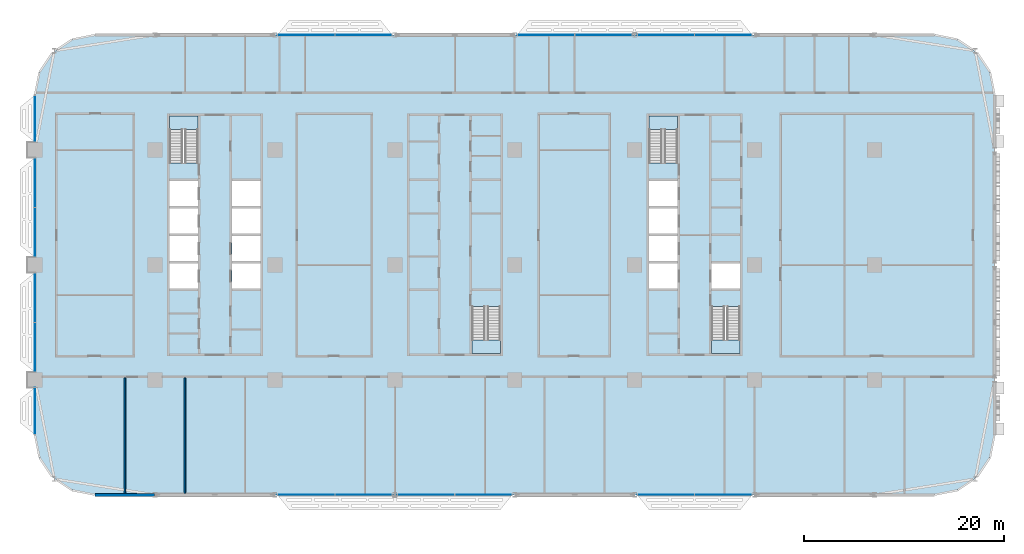
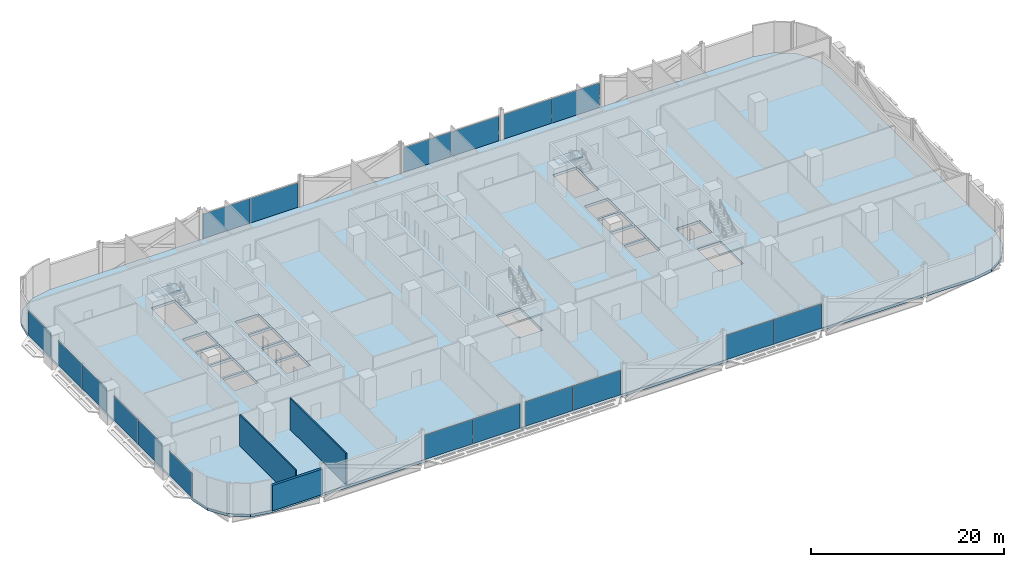
# One storey, part 11 of 29: 18 plates, 5 slabs, 3 walls, 14 elements without a shape of their own.
"""IFC4 building model written with IfcOpenShell, lengths in metres."""

import ifcopenshell
import ifcopenshell.guid

model = None  # the IFC model being written
_history = None  # IfcOwnerHistory: only IFC2X3 demands one
_inside = {}  # id of a spatial element -> (the spatial element, [elements in it])
_under = {}  # id of a project, library or spatial element -> (it, [spatial elements below it])
_declared = {}  # id of a project -> (the project, [libraries it declares])
_typed = {}  # id of a type object -> (the type object, [elements of that type])
_made_of = {}  # id of a material, layer set ... -> (it, [elements and type objects made of it])


def new_model(schema):
    """Start an empty IFC model of exactly this schema.

    Asked for "IFC4X3", IfcOpenShell would pick the latest addendum, in which some entities
    have other attributes; the version numbers below select the first issue.
    IFC2X3 requires an IfcOwnerHistory on every rooted entity: one is made here for all.
    """
    global model, _history
    if schema == "IFC4X3":
        model = ifcopenshell.file(schema_version=(4, 3, 0, 0))
    else:
        model = ifcopenshell.file(schema=schema)
    _inside.clear()
    _under.clear()
    _declared.clear()
    _typed.clear()
    _made_of.clear()
    _history = None
    if model.schema == "IFC2X3":
        org = make("IfcOrganization", Name="unknown")
        user = make(
            "IfcPersonAndOrganization",
            ThePerson=make("IfcPerson", FamilyName="unknown"),
            TheOrganization=org,
        )
        app = make(
            "IfcApplication",
            ApplicationDeveloper=org,
            Version="unknown",
            ApplicationFullName="unknown",
            ApplicationIdentifier="unknown",
        )
        _history = make(
            "IfcOwnerHistory",
            OwningUser=user,
            OwningApplication=app,
            ChangeAction="ADDED",
            CreationDate=0,
        )
    return model


def make(cls, **values):
    """One entity of the class cls with the attributes given. An attribute that is None is left unset."""
    return model.create_entity(
        cls, **{name: value for name, value in values.items() if value is not None}
    )


def rooted(cls, **values):
    """An entity with a GlobalId (a new one), such as an element, a storey or a relation."""
    return make(cls, GlobalId=ifcopenshell.guid.new(), OwnerHistory=_history, **values)


def si_unit(unit_type, name, prefix=None):
    """IfcSIUnit, for example si_unit("LENGTHUNIT", "METRE", prefix="MILLI")."""
    return make("IfcSIUnit", UnitType=unit_type, Prefix=prefix, Name=name)


def assignment(units):
    """IfcUnitAssignment: the units of a project."""
    return None if units is None else make("IfcUnitAssignment", Units=units)


def point(xyz):
    """IfcCartesianPoint."""
    return None if xyz is None else make("IfcCartesianPoint", Coordinates=xyz)


def direction(xyz):
    """IfcDirection."""
    return None if xyz is None else make("IfcDirection", DirectionRatios=xyz)


def frame(location, z_axis=None, x_axis=None):
    """IfcAxis2Placement3D, a coordinate frame: its origin and axes. An axis left out is left unset."""
    return make(
        "IfcAxis2Placement3D",
        Location=point(location),
        Axis=direction(z_axis),
        RefDirection=direction(x_axis),
    )


def frame_2d(location, x_axis=None):
    """IfcAxis2Placement2D, a coordinate frame in the plane: its origin and x axis."""
    return make(
        "IfcAxis2Placement2D", Location=point(location), RefDirection=direction(x_axis)
    )


def origin():
    """The frame at (0, 0, 0) with its axes left unset."""
    return frame((0.0, 0.0, 0.0))


def origin_2d():
    """The frame at (0, 0) in the plane with its x axis left unset."""
    return frame_2d((0.0, 0.0))


def place(relative_to, where):
    """IfcLocalPlacement: puts the frame where relative to a parent placement (None: the world)."""
    return make(
        "IfcLocalPlacement", PlacementRelTo=relative_to, RelativePlacement=where
    )


def context(
    kind, dimensions, precision=None, world=None, true_north=None, identifier=None
):
    """IfcGeometricRepresentationContext, for example the 3D "Model" context."""
    return make(
        "IfcGeometricRepresentationContext",
        ContextIdentifier=identifier,
        ContextType=kind,
        CoordinateSpaceDimension=dimensions,
        Precision=precision,
        WorldCoordinateSystem=world,
        TrueNorth=true_north,
    )


def subcontext(parent, identifier, kind, view, scale=None):
    """IfcGeometricRepresentationSubContext, for example "Body" below "Model"."""
    return make(
        "IfcGeometricRepresentationSubContext",
        ContextIdentifier=identifier,
        ContextType=kind,
        ParentContext=parent,
        TargetScale=scale,
        TargetView=view,
    )


def project(units=None, contexts=None):
    """IfcProject with its units and contexts."""
    return rooted(
        "IfcProject",
        Name="project",
        RepresentationContexts=contexts,
        UnitsInContext=assignment(units),
    )


def spatial(cls, under=None, at=None, **own):
    """A site, building, storey or space (cls), placed at a placement, below another one or the project."""
    s = rooted(cls, ObjectPlacement=at, **own)
    if under is not None:
        _under.setdefault(under.id(), (under, []))[1].append(s)
    return s


def polyline(points):
    """IfcPolyline through the points."""
    return make("IfcPolyline", Points=[point(p) for p in points])


def profile(cls, at=None, kind="AREA", **sizes):
    """A parametric profile (cls). Its sizes go by their IFC names, for example OverallWidth=200.0."""
    return make(cls, ProfileType=kind, Position=at, **sizes)


def rectangle(**sizes):
    """IfcRectangleProfileDef."""
    return profile("IfcRectangleProfileDef", **sizes)


def outline(outer, holes=None, kind="AREA"):
    """IfcArbitraryClosedProfileDef: a profile drawn as a closed curve; with holes, ...WithVoids."""
    if holes is None:
        return make("IfcArbitraryClosedProfileDef", ProfileType=kind, OuterCurve=outer)
    return make(
        "IfcArbitraryProfileDefWithVoids",
        ProfileType=kind,
        OuterCurve=outer,
        InnerCurves=holes,
    )


def extrude(swept, where, along, depth):
    """IfcExtrudedAreaSolid: the profile swept, set in the frame where, extruded along a direction by depth."""
    return make(
        "IfcExtrudedAreaSolid",
        SweptArea=swept,
        Position=where,
        ExtrudedDirection=direction(along),
        Depth=depth,
    )


def shape(context_of_items, identifier, shape_type, items):
    """IfcShapeRepresentation: the items that make up one representation, for example the "Body"."""
    return make(
        "IfcShapeRepresentation",
        ContextOfItems=context_of_items,
        RepresentationIdentifier=identifier,
        RepresentationType=shape_type,
        Items=items,
    )


def material(Name=None, Category=None):
    """IfcMaterial."""
    return make("IfcMaterial", Name=Name, Category=Category)


def layer(
    of_material, thickness, ventilated=None, Name=None, Category=None, Priority=None
):
    """IfcMaterialLayer: one layer of a wall or slab, of a material (None: an air gap)."""
    return make(
        "IfcMaterialLayer",
        Material=of_material,
        LayerThickness=thickness,
        IsVentilated=ventilated,
        Name=Name,
        Category=Category,
        Priority=Priority,
    )


def layer_set(layers, Name=None):
    """IfcMaterialLayerSet."""
    return make("IfcMaterialLayerSet", MaterialLayers=layers, LayerSetName=Name)


def made_of(thing, what):
    """Note that an element or type object is made of a material, layer set ...; save() writes the relation."""
    if what is not None:
        _made_of.setdefault(what.id(), (what, []))[1].append(thing)
    return thing


def type_object(cls, material=None, **own):
    """A type object (cls), such as IfcWallType, which elements share."""
    return made_of(rooted(cls, **own), material)


def element(
    cls,
    number,
    at=None,
    inside=None,
    cuts=None,
    type_object=None,
    material=None,
    context=None,
    identifier="Body",
    shape_type=None,
    held_by="IfcProductDefinitionShape",
    body=None,
    shapes=None,
    **own,
):
    """One element of the class cls, such as IfcWall. Its Tag is "e" and its number.

    at: its placement. inside: the storey or other place that contains it. cuts: it is an
    opening in that element (IfcRelVoidsElement). A single representation is given by context,
    identifier, shape_type and body (its items); several are given by shapes. held_by: the class
    of the entity that holds the representations. save() writes the other relations.
    """
    e = rooted(cls, Tag="e%d" % number, ObjectPlacement=at, **own)
    if body is not None:
        shapes = [shape(context, identifier, shape_type, body)]
    if shapes is not None:
        e.Representation = make(held_by, Representations=shapes)
    if inside is not None:
        _inside.setdefault(inside.id(), (inside, []))[1].append(e)
    if cuts is not None:
        rooted(
            "IfcRelVoidsElement", RelatingBuildingElement=cuts, RelatedOpeningElement=e
        )
    if type_object is not None:
        _typed.setdefault(type_object.id(), (type_object, []))[1].append(e)
    return made_of(e, material)


def aggregate(whole, parts):
    """IfcRelAggregates: a whole, such as a stair, and the parts it consists of."""
    return rooted("IfcRelAggregates", RelatingObject=whole, RelatedObjects=parts)


def save(model, path):
    """Write the relations noted so far, then the file.

    IfcRelAggregates (storeys below a building ...), IfcRelContainedInSpatialStructure (elements
    in a storey), IfcRelDefinesByType, IfcRelAssociatesMaterial and IfcRelDeclares: one each for
    every whole, place, type object, material and project.
    """
    for whole, parts in _under.values():
        aggregate(whole, parts)
    for where, things in _inside.values():
        rooted(
            "IfcRelContainedInSpatialStructure",
            RelatedElements=things,
            RelatingStructure=where,
        )
    for kind, things in _typed.values():
        rooted("IfcRelDefinesByType", RelatedObjects=things, RelatingType=kind)
    for what, things in _made_of.values():
        rooted("IfcRelAssociatesMaterial", RelatedObjects=things, RelatingMaterial=what)
    for by, libraries in _declared.values():
        rooted("IfcRelDeclares", RelatingContext=by, RelatedDefinitions=libraries)
    model.write(path)


model = new_model("IFC4")

# Units and contexts
model_context = context("Model", 3, precision=1e-05, world=origin(), true_north=direction((0.0, 1.0)))
body_context = subcontext(model_context, "Body", "Model", "MODEL_VIEW")
ifc_project = project(units=[si_unit("LENGTHUNIT", "METRE"), si_unit("AREAUNIT", "SQUARE_METRE"), si_unit("VOLUMEUNIT", "CUBIC_METRE"), si_unit("PLANEANGLEUNIT", "RADIAN"), si_unit("MASSUNIT", "GRAM", prefix="KILO")], contexts=[model_context])

# Site, building, storey
site_placement = place(None, origin())
site = spatial("IfcSite", under=ifc_project, at=site_placement, CompositionType="ELEMENT")
building_placement = place(site_placement, origin())
building = spatial("IfcBuilding", under=site, at=building_placement, Name="Mahtab Terrace Research Tower", CompositionType="ELEMENT")
storey_placement = place(building_placement, frame((0.0, 0.0, 71.800048828125)))
storey = spatial("IfcBuildingStorey", under=building, at=storey_placement, Name="L16", CompositionType="ELEMENT", Elevation=71.800048828125)

# Stair, slab
ifc_material_1 = material(Name="Exit stair half-turn")
stair_type = type_object("IfcStairType", Name="Exit stair half-turn", PredefinedType="HALF_TURN_STAIR", material=ifc_material_1)
stair_1_placement = place(storey_placement, origin())
stair_1 = element("IfcStair", 1, at=stair_1_placement, inside=storey, type_object=stair_type, Name="L16 Protected exit stair ST1", PredefinedType="HALF_TURN_STAIR")
ifc_material_2 = material(Name="Concrete C40/50", Category="concrete")
ifc_layer_1 = layer(ifc_material_2, 0.199951171875)
ifc_layer_set_1 = layer_set([ifc_layer_1], Name="Exit stair landing 200")
slab_type_1 = type_object("IfcSlabType", Name="Exit stair landing 200", PredefinedType="LANDING", material=ifc_layer_set_1)
slab_1_placement = place(storey_placement, frame((0.0, 0.0, 1.949951171875)))
slab_1 = element("IfcSlab", 2, at=slab_1_placement, type_object=slab_type_1, Name="ST1 landing 1", PredefinedType="LANDING", context=body_context, shape_type="SweptSolid", body=[
    extrude(outline(polyline([(-25.699951171875, 13.534912109375), (-25.699951171875, 14.875), (-28.550048828125, 14.875), (-28.550048828125, 13.534912109375), (-25.699951171875, 13.534912109375)])), origin(), (0.0, 0.0, 1.0), 0.199951171875),
])
aggregate(stair_1, [slab_1])

stair_2_placement = place(storey_placement, origin())
stair_2 = element("IfcStair", 3, at=stair_2_placement, inside=storey, type_object=stair_type, Name="L16 Protected exit stair ST2", PredefinedType="HALF_TURN_STAIR")
slab_2_placement = place(storey_placement, frame((0.0, 0.0, 1.949951171875)))
slab_2 = element("IfcSlab", 4, at=slab_2_placement, type_object=slab_type_1, Name="ST2 landing 1", PredefinedType="LANDING", context=body_context, shape_type="SweptSolid", body=[
    extrude(outline(polyline([(1.699951171875, -7.534912109375), (1.699951171875, -8.875), (4.550048828125, -8.875), (4.550048828125, -7.534912109375), (1.699951171875, -7.534912109375)])), origin(), (0.0, 0.0, 1.0), 0.199951171875),
])
aggregate(stair_2, [slab_2])

stair_3_placement = place(storey_placement, origin())
stair_3 = element("IfcStair", 5, at=stair_3_placement, inside=storey, type_object=stair_type, Name="L16 Protected exit stair ST3", PredefinedType="HALF_TURN_STAIR")
slab_3_placement = place(storey_placement, frame((0.0, 0.0, 1.949951171875)))
slab_3 = element("IfcSlab", 6, at=slab_3_placement, type_object=slab_type_1, Name="ST3 landing 1", PredefinedType="LANDING", context=body_context, shape_type="SweptSolid", body=[
    extrude(outline(polyline([(22.300048828125, 13.534912109375), (22.300048828125, 14.875), (19.449951171875, 14.875), (19.449951171875, 13.534912109375), (22.300048828125, 13.534912109375)])), origin(), (0.0, 0.0, 1.0), 0.199951171875),
])
aggregate(stair_3, [slab_3])

stair_4_placement = place(storey_placement, origin())
stair_4 = element("IfcStair", 7, at=stair_4_placement, inside=storey, type_object=stair_type, Name="L16 Protected exit stair ST4", PredefinedType="HALF_TURN_STAIR")
slab_4_placement = place(storey_placement, frame((0.0, 0.0, 1.949951171875)))
slab_4 = element("IfcSlab", 8, at=slab_4_placement, type_object=slab_type_1, Name="ST4 landing 1", PredefinedType="LANDING", context=body_context, shape_type="SweptSolid", body=[
    extrude(outline(polyline([(25.699951171875, -7.534912109375), (25.699951171875, -8.875), (28.550048828125, -8.875), (28.550048828125, -7.534912109375), (25.699951171875, -7.534912109375)])), origin(), (0.0, 0.0, 1.0), 0.199951171875),
])
aggregate(stair_4, [slab_4])

# Curtain wall, plates
ifc_material_3 = material(Name="Laboratory ribbon curtain wall")
curtain_wall_type = type_object("IfcCurtainWallType", Name="Laboratory ribbon curtain wall", PredefinedType="NOTDEFINED", material=ifc_material_3)
curtain_wall_1_placement = place(storey_placement, origin())
curtain_wall_1 = element("IfcCurtainWall", 9, at=curtain_wall_1_placement, inside=storey, type_object=curtain_wall_type, Name="EN.L16.3.5", PredefinedType="NOTDEFINED")
ifc_material_4 = material(Name="Dark glazing", Category="glass")
ifc_layer_2 = layer(ifc_material_4, 0.031982421875)
ifc_layer_set_2 = layer_set([ifc_layer_2], Name="Laboratory ribbon curtain wall glazing panel")
plate_type = type_object("IfcPlateType", Name="Laboratory ribbon curtain wall glazing panel", PredefinedType="CURTAIN_PANEL", material=ifc_layer_set_2)
plate_1_placement = place(storey_placement, frame((26.86474609375, 23.0, 0.0), z_axis=(0.0, 0.0, 1.0), x_axis=(-1.0, 0.0, 0.0)))
plate_1 = element("IfcPlate", 10, at=plate_1_placement, type_object=plate_type, Name="CWL-2 panel 1", PredefinedType="CURTAIN_PANEL", context=body_context, shape_type="SweptSolid", body=[
    extrude(rectangle(XDim=5.66455078125, YDim=0.031982421875, at=origin_2d()), origin(), (0.0, 0.0, 1.0), 3.10302734375),
])
plate_2_placement = place(storey_placement, frame((21.13525390625, 23.0, 0.0), z_axis=(0.0, 0.0, 1.0), x_axis=(-1.0, 0.0, 0.0)))
plate_2 = element("IfcPlate", 11, at=plate_2_placement, type_object=plate_type, Name="CWL-2 panel 2", PredefinedType="CURTAIN_PANEL", context=body_context, shape_type="SweptSolid", body=[
    extrude(rectangle(XDim=5.66455078125, YDim=0.031982421875, at=origin_2d()), origin(), (0.0, 0.0, 1.0), 3.10302734375),
])
aggregate(curtain_wall_1, [plate_1, plate_2])

curtain_wall_2_placement = place(storey_placement, origin())
curtain_wall_2 = element("IfcCurtainWall", 12, at=curtain_wall_2_placement, inside=storey, type_object=curtain_wall_type, Name="EN.L16.3.6", PredefinedType="NOTDEFINED")
plate_3_placement = place(storey_placement, frame((14.86474609375, 23.0, 0.0), z_axis=(0.0, 0.0, 1.0), x_axis=(-1.0, 0.0, 0.0)))
plate_3 = element("IfcPlate", 13, at=plate_3_placement, type_object=plate_type, Name="CWL-2 panel 1", PredefinedType="CURTAIN_PANEL", context=body_context, shape_type="SweptSolid", body=[
    extrude(rectangle(XDim=5.66455078125, YDim=0.031982421875, at=origin_2d()), origin(), (0.0, 0.0, 1.0), 3.10302734375),
])
plate_4_placement = place(storey_placement, frame((9.13525390625, 23.0, 0.0), z_axis=(0.0, 0.0, 1.0), x_axis=(-1.0, 0.0, 0.0)))
plate_4 = element("IfcPlate", 14, at=plate_4_placement, type_object=plate_type, Name="CWL-2 panel 2", PredefinedType="CURTAIN_PANEL", context=body_context, shape_type="SweptSolid", body=[
    extrude(rectangle(XDim=5.66455078125, YDim=0.031982421875, at=origin_2d()), origin(), (0.0, 0.0, 1.0), 3.10302734375),
])
aggregate(curtain_wall_2, [plate_3, plate_4])

curtain_wall_3_placement = place(storey_placement, origin())
curtain_wall_3 = element("IfcCurtainWall", 15, at=curtain_wall_3_placement, inside=storey, type_object=curtain_wall_type, Name="EN.L16.3.8", PredefinedType="NOTDEFINED")
plate_5_placement = place(storey_placement, frame((-9.13525390625, 23.0, 0.0), z_axis=(0.0, 0.0, 1.0), x_axis=(-1.0, 0.0, 0.0)))
plate_5 = element("IfcPlate", 16, at=plate_5_placement, type_object=plate_type, Name="CWL-2 panel 1", PredefinedType="CURTAIN_PANEL", context=body_context, shape_type="SweptSolid", body=[
    extrude(rectangle(XDim=5.66455078125, YDim=0.031982421875, at=origin_2d()), origin(), (0.0, 0.0, 1.0), 3.10302734375),
])
plate_6_placement = place(storey_placement, frame((-14.86474609375, 23.0, 0.0), z_axis=(0.0, 0.0, 1.0), x_axis=(-1.0, 0.0, 0.0)))
plate_6 = element("IfcPlate", 17, at=plate_6_placement, type_object=plate_type, Name="CWL-2 panel 2", PredefinedType="CURTAIN_PANEL", context=body_context, shape_type="SweptSolid", body=[
    extrude(rectangle(XDim=5.66455078125, YDim=0.031982421875, at=origin_2d()), origin(), (0.0, 0.0, 1.0), 3.10302734375),
])
aggregate(curtain_wall_3, [plate_5, plate_6])

# Curtain wall, plate
curtain_wall_4_placement = place(storey_placement, origin())
curtain_wall_4 = element("IfcCurtainWall", 18, at=curtain_wall_4_placement, inside=storey, type_object=curtain_wall_type, Name="EN.L16.8.15", PredefinedType="NOTDEFINED")
plate_7_placement = place(storey_placement, frame((-42.0, 14.625, 0.0), z_axis=(0.0, 0.0, 1.0), x_axis=(0.0, -1.0, 0.0)))
plate_7 = element("IfcPlate", 19, at=plate_7_placement, type_object=plate_type, Name="CWL-2 panel 1", PredefinedType="CURTAIN_PANEL", context=body_context, shape_type="SweptSolid", body=[
    extrude(rectangle(XDim=4.6201171875, YDim=0.031982421875, at=origin_2d()), origin(), (0.0, 0.0, 1.0), 3.10302734375),
])
aggregate(curtain_wall_4, [plate_7])

# Curtain wall, plates
curtain_wall_5_placement = place(storey_placement, origin())
curtain_wall_5 = element("IfcCurtainWall", 20, at=curtain_wall_5_placement, inside=storey, type_object=curtain_wall_type, Name="EN.L16.8.16", PredefinedType="NOTDEFINED")
plate_8_placement = place(storey_placement, frame((-42.0, 8.233642578125, 0.0), z_axis=(0.0, 0.0, 1.0), x_axis=(0.0, -1.0, 0.0)))
plate_8 = element("IfcPlate", 21, at=plate_8_placement, type_object=plate_type, Name="CWL-2 panel 1", PredefinedType="CURTAIN_PANEL", context=body_context, shape_type="SweptSolid", body=[
    extrude(rectangle(XDim=4.902587890625, YDim=0.031982421875, at=origin_2d()), origin(), (0.0, 0.0, 1.0), 3.10302734375),
])
plate_9_placement = place(storey_placement, frame((-42.0, 3.266357421875, 0.0), z_axis=(0.0, 0.0, 1.0), x_axis=(0.0, -1.0, 0.0)))
plate_9 = element("IfcPlate", 22, at=plate_9_placement, type_object=plate_type, Name="CWL-2 panel 2", PredefinedType="CURTAIN_PANEL", context=body_context, shape_type="SweptSolid", body=[
    extrude(rectangle(XDim=4.902587890625, YDim=0.031982421875, at=origin_2d()), origin(), (0.0, 0.0, 1.0), 3.10302734375),
])
aggregate(curtain_wall_5, [plate_8, plate_9])

curtain_wall_6_placement = place(storey_placement, origin())
curtain_wall_6 = element("IfcCurtainWall", 23, at=curtain_wall_6_placement, inside=storey, type_object=curtain_wall_type, Name="EN.L16.8.17", PredefinedType="NOTDEFINED")
plate_10_placement = place(storey_placement, frame((-42.0, -3.266357421875, 0.0), z_axis=(0.0, 0.0, 1.0), x_axis=(0.0, -1.0, 0.0)))
plate_10 = element("IfcPlate", 24, at=plate_10_placement, type_object=plate_type, Name="CWL-2 panel 1", PredefinedType="CURTAIN_PANEL", context=body_context, shape_type="SweptSolid", body=[
    extrude(rectangle(XDim=4.902587890625, YDim=0.031982421875, at=origin_2d()), origin(), (0.0, 0.0, 1.0), 3.10302734375),
])
plate_11_placement = place(storey_placement, frame((-42.0, -8.233642578125, 0.0), z_axis=(0.0, 0.0, 1.0), x_axis=(0.0, -1.0, 0.0)))
plate_11 = element("IfcPlate", 25, at=plate_11_placement, type_object=plate_type, Name="CWL-2 panel 2", PredefinedType="CURTAIN_PANEL", context=body_context, shape_type="SweptSolid", body=[
    extrude(rectangle(XDim=4.902587890625, YDim=0.031982421875, at=origin_2d()), origin(), (0.0, 0.0, 1.0), 3.10302734375),
])
aggregate(curtain_wall_6, [plate_10, plate_11])

# Curtain wall, plate
curtain_wall_7_placement = place(storey_placement, origin())
curtain_wall_7 = element("IfcCurtainWall", 26, at=curtain_wall_7_placement, inside=storey, type_object=curtain_wall_type, Name="EN.L16.8.18", PredefinedType="NOTDEFINED")
plate_12_placement = place(storey_placement, frame((-42.0, -14.625, 0.0), z_axis=(0.0, 0.0, 1.0), x_axis=(0.0, -1.0, 0.0)))
plate_12 = element("IfcPlate", 27, at=plate_12_placement, type_object=plate_type, Name="CWL-2 panel 1", PredefinedType="CURTAIN_PANEL", context=body_context, shape_type="SweptSolid", body=[
    extrude(rectangle(XDim=4.6201171875, YDim=0.031982421875, at=origin_2d()), origin(), (0.0, 0.0, 1.0), 3.10302734375),
])
aggregate(curtain_wall_7, [plate_12])

# Curtain wall, plates
curtain_wall_8_placement = place(storey_placement, origin())
curtain_wall_8 = element("IfcCurtainWall", 28, at=curtain_wall_8_placement, inside=storey, type_object=curtain_wall_type, Name="EN.L16.13.25", PredefinedType="NOTDEFINED")
plate_13_placement = place(storey_placement, frame((-14.86474609375, -23.0, 0.0), z_axis=(0.0, 0.0, 1.0), x_axis=(1.0, 0.0, 0.0)))
plate_13 = element("IfcPlate", 29, at=plate_13_placement, type_object=plate_type, Name="CWL-2 panel 1", PredefinedType="CURTAIN_PANEL", context=body_context, shape_type="SweptSolid", body=[
    extrude(rectangle(XDim=5.66455078125, YDim=0.031982421875, at=origin_2d()), origin(), (0.0, 0.0, 1.0), 3.10302734375),
])
plate_14_placement = place(storey_placement, frame((-9.13525390625, -23.0, 0.0), z_axis=(0.0, 0.0, 1.0), x_axis=(1.0, 0.0, 0.0)))
plate_14 = element("IfcPlate", 30, at=plate_14_placement, type_object=plate_type, Name="CWL-2 panel 2", PredefinedType="CURTAIN_PANEL", context=body_context, shape_type="SweptSolid", body=[
    extrude(rectangle(XDim=5.66455078125, YDim=0.031982421875, at=origin_2d()), origin(), (0.0, 0.0, 1.0), 3.10302734375),
])
aggregate(curtain_wall_8, [plate_13, plate_14])

curtain_wall_9_placement = place(storey_placement, origin())
curtain_wall_9 = element("IfcCurtainWall", 31, at=curtain_wall_9_placement, inside=storey, type_object=curtain_wall_type, Name="EN.L16.13.26", PredefinedType="NOTDEFINED")
plate_15_placement = place(storey_placement, frame((-2.86474609375, -23.0, 0.0), z_axis=(0.0, 0.0, 1.0), x_axis=(1.0, 0.0, 0.0)))
plate_15 = element("IfcPlate", 32, at=plate_15_placement, type_object=plate_type, Name="CWL-2 panel 1", PredefinedType="CURTAIN_PANEL", context=body_context, shape_type="SweptSolid", body=[
    extrude(rectangle(XDim=5.66455078125, YDim=0.031982421875, at=origin_2d()), origin(), (0.0, 0.0, 1.0), 3.10302734375),
])
plate_16_placement = place(storey_placement, frame((2.86474609375, -23.0, 0.0), z_axis=(0.0, 0.0, 1.0), x_axis=(1.0, 0.0, 0.0)))
plate_16 = element("IfcPlate", 33, at=plate_16_placement, type_object=plate_type, Name="CWL-2 panel 2", PredefinedType="CURTAIN_PANEL", context=body_context, shape_type="SweptSolid", body=[
    extrude(rectangle(XDim=5.66455078125, YDim=0.031982421875, at=origin_2d()), origin(), (0.0, 0.0, 1.0), 3.10302734375),
])
aggregate(curtain_wall_9, [plate_15, plate_16])

curtain_wall_10_placement = place(storey_placement, origin())
curtain_wall_10 = element("IfcCurtainWall", 34, at=curtain_wall_10_placement, inside=storey, type_object=curtain_wall_type, Name="EN.L16.13.28", PredefinedType="NOTDEFINED")
plate_17_placement = place(storey_placement, frame((21.13525390625, -23.0, 0.0), z_axis=(0.0, 0.0, 1.0), x_axis=(1.0, 0.0, 0.0)))
plate_17 = element("IfcPlate", 35, at=plate_17_placement, type_object=plate_type, Name="CWL-2 panel 1", PredefinedType="CURTAIN_PANEL", context=body_context, shape_type="SweptSolid", body=[
    extrude(rectangle(XDim=5.66455078125, YDim=0.031982421875, at=origin_2d()), origin(), (0.0, 0.0, 1.0), 3.10302734375),
])
plate_18_placement = place(storey_placement, frame((26.86474609375, -23.0, 0.0), z_axis=(0.0, 0.0, 1.0), x_axis=(1.0, 0.0, 0.0)))
plate_18 = element("IfcPlate", 36, at=plate_18_placement, type_object=plate_type, Name="CWL-2 panel 2", PredefinedType="CURTAIN_PANEL", context=body_context, shape_type="SweptSolid", body=[
    extrude(rectangle(XDim=5.66455078125, YDim=0.031982421875, at=origin_2d()), origin(), (0.0, 0.0, 1.0), 3.10302734375),
])
aggregate(curtain_wall_10, [plate_17, plate_18])

# Slab
ifc_layer_3 = layer(ifc_material_2, 0.340087890625)
ifc_layer_set_3 = layer_set([ifc_layer_3], Name="PT flat slab 340")
slab_type_2 = type_object("IfcSlabType", Name="PT flat slab 340", PredefinedType="FLOOR", material=ifc_layer_set_3)
slab_5_placement = place(storey_placement, frame((0.0, 0.0, -0.340087890625)))
element("IfcSlab", 37, at=slab_5_placement, inside=storey, type_object=slab_type_2, Name="Floor slab L16", PredefinedType="FLOOR", context=body_context, shape_type="SweptSolid", body=[
    extrude(outline(polyline([(53.54296875, 19.2958984375), (52.242919921875, 21.242919921875), (50.2958984375, 22.54296875), (48.0, 23.0), (-36.0, 23.0), (-38.2958984375, 22.54296875), (-40.242919921875, 21.242919921875), (-41.54296875, 19.2958984375), (-42.0, 17.0), (-42.0, -17.0), (-41.54296875, -19.2958984375), (-40.242919921875, -21.242919921875), (-38.2958984375, -22.54296875), (-36.0, -23.0), (48.0, -23.0), (50.2958984375, -22.54296875), (52.242919921875, -21.242919921875), (53.54296875, -19.2958984375), (54.0, -17.0), (54.0, 17.0), (53.54296875, 19.2958984375)]), holes=[polyline([(-28.550048828125, -2.375), (-28.550048828125, 0.125), (-25.699951171875, 0.125), (-25.699951171875, -2.375), (-28.550048828125, -2.375)]), polyline([(-22.300048828125, -2.375), (-22.300048828125, 0.125), (-19.449951171875, 0.125), (-19.449951171875, -2.375), (-22.300048828125, -2.375)]), polyline([(-28.550048828125, 0.375), (-28.550048828125, 2.875), (-25.699951171875, 2.875), (-25.699951171875, 0.375), (-28.550048828125, 0.375)]), polyline([(-22.300048828125, 0.375), (-22.300048828125, 2.875), (-19.449951171875, 2.875), (-19.449951171875, 0.375), (-22.300048828125, 0.375)]), polyline([(-28.550048828125, 3.125), (-28.550048828125, 5.625), (-25.699951171875, 5.625), (-25.699951171875, 3.125), (-28.550048828125, 3.125)]), polyline([(-22.300048828125, 3.125), (-22.300048828125, 5.625), (-19.449951171875, 5.625), (-19.449951171875, 3.125), (-22.300048828125, 3.125)]), polyline([(-28.550048828125, 5.875), (-28.550048828125, 8.375), (-25.699951171875, 8.375), (-25.699951171875, 5.875), (-28.550048828125, 5.875)]), polyline([(-22.300048828125, 5.875), (-22.300048828125, 8.375), (-19.449951171875, 8.375), (-19.449951171875, 5.875), (-22.300048828125, 5.875)]), polyline([(-28.550048828125, 10.177001953125), (-28.550048828125, 14.875), (-25.699951171875, 14.875), (-25.699951171875, 10.177001953125), (-28.550048828125, 10.177001953125)]), polyline([(1.699951171875, -8.875), (1.699951171875, -4.177001953125), (4.550048828125, -4.177001953125), (4.550048828125, -8.875), (1.699951171875, -8.875)]), polyline([(25.699951171875, -8.875), (25.699951171875, -4.177001953125), (28.550048828125, -4.177001953125), (28.550048828125, -8.875), (25.699951171875, -8.875)]), polyline([(19.449951171875, -2.375), (19.449951171875, 0.125), (22.300048828125, 0.125), (22.300048828125, -2.375), (19.449951171875, -2.375)]), polyline([(25.699951171875, -2.375), (25.699951171875, 0.125), (28.550048828125, 0.125), (28.550048828125, -2.375), (25.699951171875, -2.375)]), polyline([(19.449951171875, 0.375), (19.449951171875, 2.875), (22.300048828125, 2.875), (22.300048828125, 0.375), (19.449951171875, 0.375)]), polyline([(19.449951171875, 3.125), (19.449951171875, 5.625), (22.300048828125, 5.625), (22.300048828125, 3.125), (19.449951171875, 3.125)]), polyline([(19.449951171875, 8.375), (22.300048828125, 8.375), (22.300048828125, 5.875), (19.449951171875, 5.875), (19.449951171875, 8.375)]), polyline([(19.449951171875, 14.875), (22.300048828125, 14.875), (22.300048828125, 10.177001953125), (19.449951171875, 10.177001953125), (19.449951171875, 14.875)])]), origin(), (0.0, 0.0, 1.0), 0.340087890625),
])

# Walls
ifc_material_5 = material(Name="Black aluminium cladding panel", Category="aluminium")
ifc_layer_4 = layer(ifc_material_5, 0.300048828125)
ifc_layer_set_4 = layer_set([ifc_layer_4], Name="Opaque facade wall 300")
wall_type_1 = type_object("IfcWallType", Name="Opaque facade wall 300", PredefinedType="NOTDEFINED", material=ifc_layer_set_4)
wall_placement = place(storey_placement, frame((-36.0, -23.0, 0.0), z_axis=(0.0, 0.0, 1.0), x_axis=(1.0, 0.0, 0.0)))
element("IfcWall", 38, at=wall_placement, inside=storey, type_object=wall_type_1, Name="Opaque facade wall L16 S23", PredefinedType="NOTDEFINED", context=body_context, shape_type="SweptSolid", body=[
    extrude(rectangle(XDim=5.97607421875, YDim=0.300048828125, at=frame_2d((2.988037109375, 0.0))), origin(), (0.0, 0.0, 1.0), 3.203125),
])
ifc_material_6 = material(Name="Gypsum board partition on steel studs", Category="steel")
ifc_layer_5 = layer(ifc_material_6, 0.14990234375)
ifc_layer_set_5 = layer_set([ifc_layer_5], Name="WALL PARTITION 150")
wall_type_2 = type_object("IfcWallType", Name="WALL PARTITION 150", PredefinedType="PARTITIONING", material=ifc_layer_set_5)
for number, where, z_axis, x_axis, name in (
    (39, (-33.0, -22.85009765625, 0.0), (0.0, 0.0, 1.0), (0.0, 1.0, 0.0), "L16-W026"),
    (40, (-27.0, -22.85009765625, 0.0), (0.0, 0.0, 1.0), (0.0, 1.0, 0.0), "L16-W028"),
):
    element("IfcWall", number, at=place(storey_placement, frame(where, z_axis=z_axis, x_axis=x_axis)), inside=storey, type_object=wall_type_2, Name=name, PredefinedType="PARTITIONING", context=body_context, shape_type="SweptSolid", body=[
        extrude(rectangle(XDim=11.550048828125, YDim=0.14990234375, at=frame_2d((5.77490234375, 0.0))), origin(), (0.0, 0.0, 1.0), 3.9599609375),
    ])

save(model, "model.ifc")
